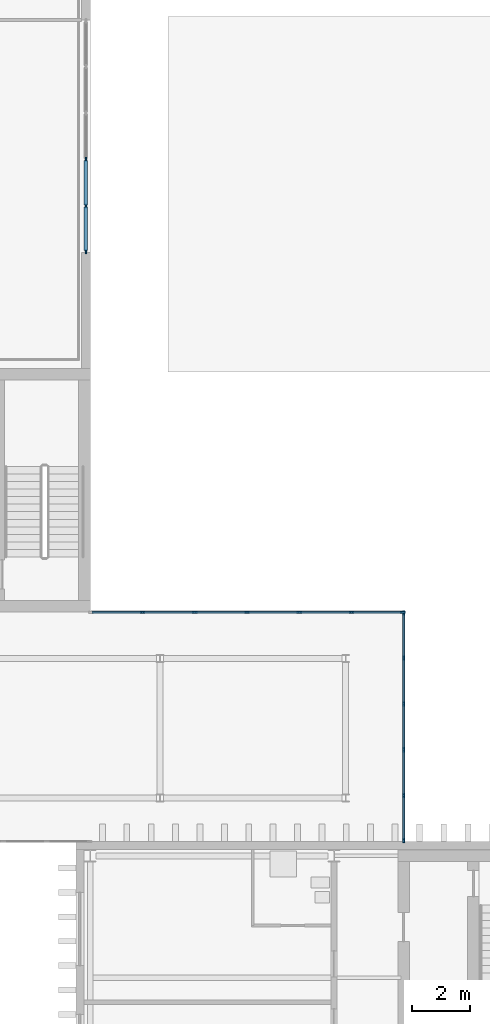
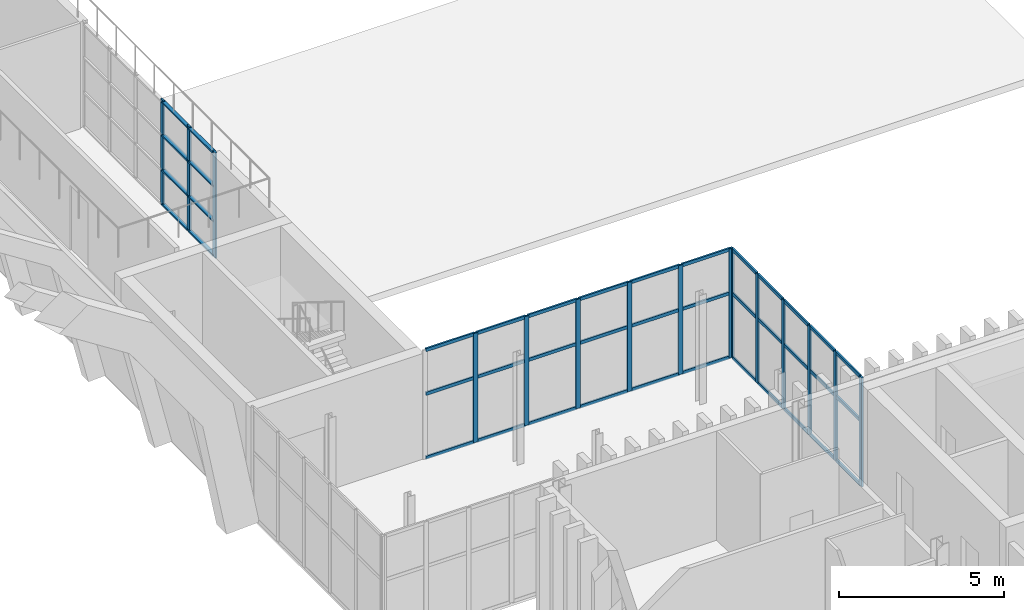
# One storey, part 42 of 96: 56 members, 3 elements without a shape of their own.
"""IFC4 building model written with IfcOpenShell, lengths in metres."""

from ifc_helpers import new_model, si_unit, direction, frame, origin, origin_2d, place, context, subcontext, project, spatial, rectangle, extrude, material, layer, layer_set, material_profile, profile_set, type_object, element, aggregate, save


model = new_model("IFC4")

# Units and contexts
model_context = context("Model", 3, precision=1e-05, world=origin(), true_north=direction((0.0, 1.0)))
body_context = subcontext(model_context, "Body", "Model", "MODEL_VIEW")
ifc_project = project(units=[si_unit("LENGTHUNIT", "METRE"), si_unit("AREAUNIT", "SQUARE_METRE"), si_unit("VOLUMEUNIT", "CUBIC_METRE"), si_unit("PLANEANGLEUNIT", "RADIAN"), si_unit("MASSUNIT", "GRAM", prefix="KILO")], contexts=[model_context])

# Site, building, storey
site_placement = place(None, origin())
site = spatial("IfcSite", under=ifc_project, at=site_placement, CompositionType="ELEMENT")
building_placement = place(site_placement, origin())
building = spatial("IfcBuilding", under=site, at=building_placement, Name="Cresset Court Congress Hotel", CompositionType="ELEMENT")
storey_placement = place(building_placement, frame((0.0, 0.0, 6.0)))
storey = spatial("IfcBuildingStorey", under=building, at=storey_placement, Name="L01", CompositionType="ELEMENT", Elevation=6.0)

# Curtain wall, members
ifc_material_1 = material(Name="Aluminium frame with insulated glass", Category="aluminium")
curtain_wall_type_1 = type_object("IfcCurtainWallType", Name="Curtain wall module 1600", PredefinedType="NOTDEFINED", material=ifc_material_1)
curtain_wall_1_placement = place(storey_placement, origin())
curtain_wall_1 = element("IfcCurtainWall", 1, at=curtain_wall_1_placement, inside=storey, type_object=curtain_wall_type_1, Name="Curtain wall E", PredefinedType="NOTDEFINED")
ifc_material_2 = material(Name="Aluminium", Category="aluminium")
ifc_material_profile_1 = material_profile(ifc_material_2, rectangle(XDim=0.1201171875, YDim=0.06005859375, at=origin_2d()), Name="AL 120x60")
ifc_profile_set_1 = profile_set([ifc_material_profile_1], Name="Aluminium")
member_type_1 = type_object("IfcMemberType", Name="CW transom RECT 120x60", PredefinedType="USERDEFINED", material=ifc_profile_set_1)
member_1_placement = place(storey_placement, frame((157.050048828125, 88.06005859375, 0.06005859375), z_axis=(0.0, 1.0, 0.0), x_axis=(-1.0, 0.0, 0.0)))
member_1 = element("IfcMember", 2, at=member_1_placement, type_object=member_type_1, Name="D-X3 transom 1.1", ObjectType="TRANSOM", PredefinedType="USERDEFINED", context=body_context, shape_type="SweptSolid", body=[
    extrude(rectangle(XDim=0.1201171875, YDim=0.06005859375, at=origin_2d()), origin(), (0.0, 0.0, 1.0), 1.510009765625),
])
member_2_placement = place(storey_placement, frame((157.050048828125, 88.06005859375, 1.3330078125), z_axis=(0.0, 1.0, 0.0), x_axis=(-1.0, 0.0, 0.0)))
member_2 = element("IfcMember", 3, at=member_2_placement, type_object=member_type_1, Name="D-X3 transom 1.2", ObjectType="TRANSOM", PredefinedType="USERDEFINED", context=body_context, shape_type="SweptSolid", body=[
    extrude(rectangle(XDim=0.1201171875, YDim=0.06005859375, at=origin_2d()), origin(), (0.0, 0.0, 1.0), 1.510009765625),
])
member_3_placement = place(storey_placement, frame((157.050048828125, 88.06005859375, 2.6259765625), z_axis=(0.0, 1.0, 0.0), x_axis=(-1.0, 0.0, 0.0)))
member_3 = element("IfcMember", 4, at=member_3_placement, type_object=member_type_1, Name="D-X3 transom 1.3", ObjectType="TRANSOM", PredefinedType="USERDEFINED", context=body_context, shape_type="SweptSolid", body=[
    extrude(rectangle(XDim=0.1201171875, YDim=0.06005859375, at=origin_2d()), origin(), (0.0, 0.0, 1.0), 1.510009765625),
])
member_4_placement = place(storey_placement, frame((157.050048828125, 88.06005859375, 3.860107421875), z_axis=(0.0, 1.0, 0.0), x_axis=(-1.0, 0.0, 0.0)))
member_4 = element("IfcMember", 5, at=member_4_placement, type_object=member_type_1, Name="D-X3 transom 1.4", ObjectType="TRANSOM", PredefinedType="USERDEFINED", context=body_context, shape_type="SweptSolid", body=[
    extrude(rectangle(XDim=0.1201171875, YDim=0.06005859375, at=origin_2d()), origin(), (0.0, 0.0, 1.0), 1.510009765625),
])
member_5_placement = place(storey_placement, frame((157.050048828125, 89.6298828125, 0.06005859375), z_axis=(0.0, 1.0, 0.0), x_axis=(-1.0, 0.0, 0.0)))
member_5 = element("IfcMember", 6, at=member_5_placement, type_object=member_type_1, Name="D-X3 transom 2.1", ObjectType="TRANSOM", PredefinedType="USERDEFINED", context=body_context, shape_type="SweptSolid", body=[
    extrude(rectangle(XDim=0.1201171875, YDim=0.06005859375, at=origin_2d()), origin(), (0.0, 0.0, 1.0), 1.5400390625),
])
member_6_placement = place(storey_placement, frame((157.050048828125, 89.6298828125, 1.3330078125), z_axis=(0.0, 1.0, 0.0), x_axis=(-1.0, 0.0, 0.0)))
member_6 = element("IfcMember", 7, at=member_6_placement, type_object=member_type_1, Name="D-X3 transom 2.2", ObjectType="TRANSOM", PredefinedType="USERDEFINED", context=body_context, shape_type="SweptSolid", body=[
    extrude(rectangle(XDim=0.1201171875, YDim=0.06005859375, at=origin_2d()), origin(), (0.0, 0.0, 1.0), 1.5400390625),
])
member_7_placement = place(storey_placement, frame((157.050048828125, 89.6298828125, 2.6259765625), z_axis=(0.0, 1.0, 0.0), x_axis=(-1.0, 0.0, 0.0)))
member_7 = element("IfcMember", 8, at=member_7_placement, type_object=member_type_1, Name="D-X3 transom 2.3", ObjectType="TRANSOM", PredefinedType="USERDEFINED", context=body_context, shape_type="SweptSolid", body=[
    extrude(rectangle(XDim=0.1201171875, YDim=0.06005859375, at=origin_2d()), origin(), (0.0, 0.0, 1.0), 1.5400390625),
])
member_8_placement = place(storey_placement, frame((157.050048828125, 89.6298828125, 3.860107421875), z_axis=(0.0, 1.0, 0.0), x_axis=(-1.0, 0.0, 0.0)))
member_8 = element("IfcMember", 9, at=member_8_placement, type_object=member_type_1, Name="D-X3 transom 2.4", ObjectType="TRANSOM", PredefinedType="USERDEFINED", context=body_context, shape_type="SweptSolid", body=[
    extrude(rectangle(XDim=0.1201171875, YDim=0.06005859375, at=origin_2d()), origin(), (0.0, 0.0, 1.0), 1.5400390625),
])
ifc_material_3 = material(Name="Anodised aluminium", Category="aluminium")
ifc_material_profile_2 = material_profile(ifc_material_3, rectangle(XDim=0.06005859375, YDim=0.159912109375, at=origin_2d()), Name="AL60x160")
ifc_profile_set_2 = profile_set([ifc_material_profile_2], Name="Anodised aluminium")
member_type_2 = type_object("IfcMemberType", Name="Curtain wall mullion 60x160", PredefinedType="MULLION", material=ifc_profile_set_2)
member_9_placement = place(storey_placement, frame((157.050048828125, 88.030029296875, 0.0), z_axis=(0.0, 0.0, 1.0), x_axis=(-1.0, 0.0, 0.0)))
member_9 = element("IfcMember", 10, at=member_9_placement, type_object=member_type_2, Name="D-X3 mullion 1", PredefinedType="MULLION", context=body_context, shape_type="SweptSolid", body=[
    extrude(rectangle(XDim=0.06005859375, YDim=0.159912109375, at=origin_2d()), origin(), (0.0, 0.0, 1.0), 3.919921875),
])
member_10_placement = place(storey_placement, frame((157.050048828125, 89.60009765625, 0.0), z_axis=(0.0, 0.0, 1.0), x_axis=(-1.0, 0.0, 0.0)))
member_10 = element("IfcMember", 11, at=member_10_placement, type_object=member_type_2, Name="D-X3 mullion 2", PredefinedType="MULLION", context=body_context, shape_type="SweptSolid", body=[
    extrude(rectangle(XDim=0.06005859375, YDim=0.159912109375, at=origin_2d()), origin(), (0.0, 0.0, 1.0), 3.919921875),
])
member_11_placement = place(storey_placement, frame((157.050048828125, 91.199951171875, 0.0), z_axis=(0.0, 0.0, 1.0), x_axis=(-1.0, 0.0, 0.0)))
member_11 = element("IfcMember", 12, at=member_11_placement, type_object=member_type_2, Name="D-X3 mullion 3", PredefinedType="MULLION", context=body_context, shape_type="SweptSolid", body=[
    extrude(rectangle(XDim=0.06005859375, YDim=0.159912109375, at=origin_2d()), origin(), (0.0, 0.0, 1.0), 3.919921875),
])
aggregate(curtain_wall_1, [member_9, member_10, member_11, member_1, member_2, member_3, member_4, member_5, member_6, member_7, member_8])

ifc_material_4 = material(Name="Aluminium and glass", Category="aluminium")
ifc_layer = layer(ifc_material_4, 0.199951171875)
ifc_layer_set = layer_set([ifc_layer], Name="Link curtain wall")
curtain_wall_type_2 = type_object("IfcCurtainWallType", Name="Link curtain wall", PredefinedType="NOTDEFINED", material=ifc_layer_set)
curtain_wall_2_placement = place(storey_placement, origin())
curtain_wall_2 = element("IfcCurtainWall", 13, at=curtain_wall_2_placement, inside=storey, type_object=curtain_wall_type_2, Name="Link curtain wall E", PredefinedType="NOTDEFINED")
ifc_material_5 = material(Name="Aluminium", Category="aluminium")
ifc_material_profile_3 = material_profile(ifc_material_5, rectangle(XDim=0.06005859375, YDim=0.159912109375, at=origin_2d()), Name="Mullion 60x160")
ifc_profile_set_3 = profile_set([ifc_material_profile_3], Name="Aluminium")
member_type_3 = type_object("IfcMemberType", Name="Link mullion 60x160", PredefinedType="MULLION", material=ifc_profile_set_3)
member_12_placement = place(storey_placement, frame((168.0, 67.72998046875, 0.0), z_axis=(0.0, 0.0, 1.0), x_axis=(-1.0, 0.0, 0.0)))
member_12 = element("IfcMember", 14, at=member_12_placement, type_object=member_type_3, Name="S-X1 mullion 1", PredefinedType="MULLION", context=body_context, shape_type="SweptSolid", body=[
    extrude(rectangle(XDim=0.06005859375, YDim=0.159912109375, at=origin_2d()), origin(), (0.0, 0.0, 1.0), 4.050048828125),
])
member_13_placement = place(storey_placement, frame((168.0, 69.280029296875, 0.0), z_axis=(0.0, 0.0, 1.0), x_axis=(-1.0, 0.0, 0.0)))
member_13 = element("IfcMember", 15, at=member_13_placement, type_object=member_type_3, Name="S-X1 mullion 2", PredefinedType="MULLION", context=body_context, shape_type="SweptSolid", body=[
    extrude(rectangle(XDim=0.06005859375, YDim=0.159912109375, at=origin_2d()), origin(), (0.0, 0.0, 1.0), 4.050048828125),
])
member_14_placement = place(storey_placement, frame((168.0, 70.860107421875, 0.0), z_axis=(0.0, 0.0, 1.0), x_axis=(-1.0, 0.0, 0.0)))
member_14 = element("IfcMember", 16, at=member_14_placement, type_object=member_type_3, Name="S-X1 mullion 3", PredefinedType="MULLION", context=body_context, shape_type="SweptSolid", body=[
    extrude(rectangle(XDim=0.06005859375, YDim=0.159912109375, at=origin_2d()), origin(), (0.0, 0.0, 1.0), 4.050048828125),
])
member_15_placement = place(storey_placement, frame((168.0, 72.43994140625, 0.0), z_axis=(0.0, 0.0, 1.0), x_axis=(-1.0, 0.0, 0.0)))
member_15 = element("IfcMember", 17, at=member_15_placement, type_object=member_type_3, Name="S-X1 mullion 4", PredefinedType="MULLION", context=body_context, shape_type="SweptSolid", body=[
    extrude(rectangle(XDim=0.06005859375, YDim=0.159912109375, at=origin_2d()), origin(), (0.0, 0.0, 1.0), 4.050048828125),
])
member_16_placement = place(storey_placement, frame((168.0, 74.02001953125, 0.0), z_axis=(0.0, 0.0, 1.0), x_axis=(-1.0, 0.0, 0.0)))
member_16 = element("IfcMember", 18, at=member_16_placement, type_object=member_type_3, Name="S-X1 mullion 5", PredefinedType="MULLION", context=body_context, shape_type="SweptSolid", body=[
    extrude(rectangle(XDim=0.06005859375, YDim=0.159912109375, at=origin_2d()), origin(), (0.0, 0.0, 1.0), 4.050048828125),
])
member_17_placement = place(storey_placement, frame((168.0, 75.570068359375, 0.0), z_axis=(0.0, 0.0, 1.0), x_axis=(-1.0, 0.0, 0.0)))
member_17 = element("IfcMember", 19, at=member_17_placement, type_object=member_type_3, Name="S-X1 mullion 6", PredefinedType="MULLION", context=body_context, shape_type="SweptSolid", body=[
    extrude(rectangle(XDim=0.06005859375, YDim=0.159912109375, at=origin_2d()), origin(), (0.0, 0.0, 1.0), 4.050048828125),
])

curtain_wall_3_placement = place(storey_placement, origin())
curtain_wall_3 = element("IfcCurtainWall", 20, at=curtain_wall_3_placement, inside=storey, type_object=curtain_wall_type_2, Name="Link curtain wall N", PredefinedType="NOTDEFINED")
member_18_placement = place(storey_placement, frame((159.0, 75.60009765625, 0.0), z_axis=(0.0, 0.0, 1.0), x_axis=(0.0, 1.0, 0.0)))
member_18 = element("IfcMember", 21, at=member_18_placement, type_object=member_type_3, Name="S-X1 mullion 2", PredefinedType="MULLION", context=body_context, shape_type="SweptSolid", body=[
    extrude(rectangle(XDim=0.06005859375, YDim=0.159912109375, at=origin_2d()), origin(), (0.0, 0.0, 1.0), 4.050048828125),
])
member_19_placement = place(storey_placement, frame((160.800048828125, 75.60009765625, 0.0), z_axis=(0.0, 0.0, 1.0), x_axis=(0.0, 1.0, 0.0)))
member_19 = element("IfcMember", 22, at=member_19_placement, type_object=member_type_3, Name="S-X1 mullion 3", PredefinedType="MULLION", context=body_context, shape_type="SweptSolid", body=[
    extrude(rectangle(XDim=0.06005859375, YDim=0.159912109375, at=origin_2d()), origin(), (0.0, 0.0, 1.0), 4.050048828125),
])
member_20_placement = place(storey_placement, frame((162.60009765625, 75.60009765625, 0.0), z_axis=(0.0, 0.0, 1.0), x_axis=(0.0, 1.0, 0.0)))
member_20 = element("IfcMember", 23, at=member_20_placement, type_object=member_type_3, Name="S-X1 mullion 4", PredefinedType="MULLION", context=body_context, shape_type="SweptSolid", body=[
    extrude(rectangle(XDim=0.06005859375, YDim=0.159912109375, at=origin_2d()), origin(), (0.0, 0.0, 1.0), 4.050048828125),
])
member_21_placement = place(storey_placement, frame((164.39990234375, 75.60009765625, 0.0), z_axis=(0.0, 0.0, 1.0), x_axis=(0.0, 1.0, 0.0)))
member_21 = element("IfcMember", 24, at=member_21_placement, type_object=member_type_3, Name="S-X1 mullion 5", PredefinedType="MULLION", context=body_context, shape_type="SweptSolid", body=[
    extrude(rectangle(XDim=0.06005859375, YDim=0.159912109375, at=origin_2d()), origin(), (0.0, 0.0, 1.0), 4.050048828125),
])
member_22_placement = place(storey_placement, frame((166.199951171875, 75.60009765625, 0.0), z_axis=(0.0, 0.0, 1.0), x_axis=(0.0, 1.0, 0.0)))
member_22 = element("IfcMember", 25, at=member_22_placement, type_object=member_type_3, Name="S-X1 mullion 6", PredefinedType="MULLION", context=body_context, shape_type="SweptSolid", body=[
    extrude(rectangle(XDim=0.06005859375, YDim=0.159912109375, at=origin_2d()), origin(), (0.0, 0.0, 1.0), 4.050048828125),
])
member_23_placement = place(storey_placement, frame((167.969970703125, 75.60009765625, 0.0), z_axis=(0.0, 0.0, 1.0), x_axis=(0.0, 1.0, 0.0)))
member_23 = element("IfcMember", 26, at=member_23_placement, type_object=member_type_3, Name="S-X1 mullion 7", PredefinedType="MULLION", context=body_context, shape_type="SweptSolid", body=[
    extrude(rectangle(XDim=0.06005859375, YDim=0.159912109375, at=origin_2d()), origin(), (0.0, 0.0, 1.0), 4.050048828125),
])

# Member
ifc_material_6 = material(Name="Aluminium", Category="aluminium")
ifc_material_profile_4 = material_profile(ifc_material_6, rectangle(XDim=0.06005859375, YDim=0.1201171875, at=origin_2d()), Name="Transom 60x120")
ifc_profile_set_4 = profile_set([ifc_material_profile_4], Name="Aluminium")
member_type_4 = type_object("IfcMemberType", Name="Link transom 60x120", PredefinedType="USERDEFINED", material=ifc_profile_set_4)
member_24_placement = place(storey_placement, frame((168.0, 67.760009765625, 0.030029296875), z_axis=(0.0, 1.0, 0.0), x_axis=(-1.0, 0.0, 0.0)))
member_24 = element("IfcMember", 27, at=member_24_placement, type_object=member_type_4, Name="S-X1 transom 1.1", ObjectType="TRANSOM", PredefinedType="USERDEFINED", context=body_context, shape_type="SweptSolid", body=[
    extrude(rectangle(XDim=0.06005859375, YDim=0.1201171875, at=origin_2d()), origin(), (0.0, 0.0, 1.0), 1.489990234375),
])

member_25_placement = place(storey_placement, frame((168.0, 67.760009765625, 2.39990234375), z_axis=(0.0, 1.0, 0.0), x_axis=(-1.0, 0.0, 0.0)))
member_25 = element("IfcMember", 28, at=member_25_placement, type_object=member_type_4, Name="S-X1 transom 1.2", ObjectType="TRANSOM", PredefinedType="USERDEFINED", context=body_context, shape_type="SweptSolid", body=[
    extrude(rectangle(XDim=0.06005859375, YDim=0.1201171875, at=origin_2d()), origin(), (0.0, 0.0, 1.0), 1.489990234375),
])

member_26_placement = place(storey_placement, frame((168.0, 67.760009765625, 4.02001953125), z_axis=(0.0, 1.0, 0.0), x_axis=(-1.0, 0.0, 0.0)))
member_26 = element("IfcMember", 29, at=member_26_placement, type_object=member_type_4, Name="S-X1 transom 1.3", ObjectType="TRANSOM", PredefinedType="USERDEFINED", context=body_context, shape_type="SweptSolid", body=[
    extrude(rectangle(XDim=0.06005859375, YDim=0.1201171875, at=origin_2d()), origin(), (0.0, 0.0, 1.0), 1.489990234375),
])

member_27_placement = place(storey_placement, frame((168.0, 69.31005859375, 0.030029296875), z_axis=(0.0, 1.0, 0.0), x_axis=(-1.0, 0.0, 0.0)))
member_27 = element("IfcMember", 30, at=member_27_placement, type_object=member_type_4, Name="S-X1 transom 2.1", ObjectType="TRANSOM", PredefinedType="USERDEFINED", context=body_context, shape_type="SweptSolid", body=[
    extrude(rectangle(XDim=0.06005859375, YDim=0.1201171875, at=origin_2d()), origin(), (0.0, 0.0, 1.0), 1.52001953125),
])

member_28_placement = place(storey_placement, frame((168.0, 69.31005859375, 2.39990234375), z_axis=(0.0, 1.0, 0.0), x_axis=(-1.0, 0.0, 0.0)))
member_28 = element("IfcMember", 31, at=member_28_placement, type_object=member_type_4, Name="S-X1 transom 2.2", ObjectType="TRANSOM", PredefinedType="USERDEFINED", context=body_context, shape_type="SweptSolid", body=[
    extrude(rectangle(XDim=0.06005859375, YDim=0.1201171875, at=origin_2d()), origin(), (0.0, 0.0, 1.0), 1.52001953125),
])

member_29_placement = place(storey_placement, frame((168.0, 69.31005859375, 4.02001953125), z_axis=(0.0, 1.0, 0.0), x_axis=(-1.0, 0.0, 0.0)))
member_29 = element("IfcMember", 32, at=member_29_placement, type_object=member_type_4, Name="S-X1 transom 2.3", ObjectType="TRANSOM", PredefinedType="USERDEFINED", context=body_context, shape_type="SweptSolid", body=[
    extrude(rectangle(XDim=0.06005859375, YDim=0.1201171875, at=origin_2d()), origin(), (0.0, 0.0, 1.0), 1.52001953125),
])

member_30_placement = place(storey_placement, frame((168.0, 70.889892578125, 0.030029296875), z_axis=(0.0, 1.0, 0.0), x_axis=(-1.0, 0.0, 0.0)))
member_30 = element("IfcMember", 33, at=member_30_placement, type_object=member_type_4, Name="S-X1 transom 3.1", ObjectType="TRANSOM", PredefinedType="USERDEFINED", context=body_context, shape_type="SweptSolid", body=[
    extrude(rectangle(XDim=0.06005859375, YDim=0.1201171875, at=origin_2d()), origin(), (0.0, 0.0, 1.0), 1.52001953125),
])

member_31_placement = place(storey_placement, frame((168.0, 70.889892578125, 2.39990234375), z_axis=(0.0, 1.0, 0.0), x_axis=(-1.0, 0.0, 0.0)))
member_31 = element("IfcMember", 34, at=member_31_placement, type_object=member_type_4, Name="S-X1 transom 3.2", ObjectType="TRANSOM", PredefinedType="USERDEFINED", context=body_context, shape_type="SweptSolid", body=[
    extrude(rectangle(XDim=0.06005859375, YDim=0.1201171875, at=origin_2d()), origin(), (0.0, 0.0, 1.0), 1.52001953125),
])

member_32_placement = place(storey_placement, frame((168.0, 70.889892578125, 4.02001953125), z_axis=(0.0, 1.0, 0.0), x_axis=(-1.0, 0.0, 0.0)))
member_32 = element("IfcMember", 35, at=member_32_placement, type_object=member_type_4, Name="S-X1 transom 3.3", ObjectType="TRANSOM", PredefinedType="USERDEFINED", context=body_context, shape_type="SweptSolid", body=[
    extrude(rectangle(XDim=0.06005859375, YDim=0.1201171875, at=origin_2d()), origin(), (0.0, 0.0, 1.0), 1.52001953125),
])

member_33_placement = place(storey_placement, frame((168.0, 72.469970703125, 0.030029296875), z_axis=(0.0, 1.0, 0.0), x_axis=(-1.0, 0.0, 0.0)))
member_33 = element("IfcMember", 36, at=member_33_placement, type_object=member_type_4, Name="S-X1 transom 4.1", ObjectType="TRANSOM", PredefinedType="USERDEFINED", context=body_context, shape_type="SweptSolid", body=[
    extrude(rectangle(XDim=0.06005859375, YDim=0.1201171875, at=origin_2d()), origin(), (0.0, 0.0, 1.0), 1.52001953125),
])

member_34_placement = place(storey_placement, frame((168.0, 72.469970703125, 2.39990234375), z_axis=(0.0, 1.0, 0.0), x_axis=(-1.0, 0.0, 0.0)))
member_34 = element("IfcMember", 37, at=member_34_placement, type_object=member_type_4, Name="S-X1 transom 4.2", ObjectType="TRANSOM", PredefinedType="USERDEFINED", context=body_context, shape_type="SweptSolid", body=[
    extrude(rectangle(XDim=0.06005859375, YDim=0.1201171875, at=origin_2d()), origin(), (0.0, 0.0, 1.0), 1.52001953125),
])

member_35_placement = place(storey_placement, frame((168.0, 72.469970703125, 4.02001953125), z_axis=(0.0, 1.0, 0.0), x_axis=(-1.0, 0.0, 0.0)))
member_35 = element("IfcMember", 38, at=member_35_placement, type_object=member_type_4, Name="S-X1 transom 4.3", ObjectType="TRANSOM", PredefinedType="USERDEFINED", context=body_context, shape_type="SweptSolid", body=[
    extrude(rectangle(XDim=0.06005859375, YDim=0.1201171875, at=origin_2d()), origin(), (0.0, 0.0, 1.0), 1.52001953125),
])

member_36_placement = place(storey_placement, frame((168.0, 74.050048828125, 0.030029296875), z_axis=(0.0, 1.0, 0.0), x_axis=(-1.0, 0.0, 0.0)))
member_36 = element("IfcMember", 39, at=member_36_placement, type_object=member_type_4, Name="S-X1 transom 5.1", ObjectType="TRANSOM", PredefinedType="USERDEFINED", context=body_context, shape_type="SweptSolid", body=[
    extrude(rectangle(XDim=0.06005859375, YDim=0.1201171875, at=origin_2d()), origin(), (0.0, 0.0, 1.0), 1.489990234375),
])

member_37_placement = place(storey_placement, frame((168.0, 74.050048828125, 2.39990234375), z_axis=(0.0, 1.0, 0.0), x_axis=(-1.0, 0.0, 0.0)))
member_37 = element("IfcMember", 40, at=member_37_placement, type_object=member_type_4, Name="S-X1 transom 5.2", ObjectType="TRANSOM", PredefinedType="USERDEFINED", context=body_context, shape_type="SweptSolid", body=[
    extrude(rectangle(XDim=0.06005859375, YDim=0.1201171875, at=origin_2d()), origin(), (0.0, 0.0, 1.0), 1.489990234375),
])

member_38_placement = place(storey_placement, frame((168.0, 74.050048828125, 4.02001953125), z_axis=(0.0, 1.0, 0.0), x_axis=(-1.0, 0.0, 0.0)))
member_38 = element("IfcMember", 41, at=member_38_placement, type_object=member_type_4, Name="S-X1 transom 5.3", ObjectType="TRANSOM", PredefinedType="USERDEFINED", context=body_context, shape_type="SweptSolid", body=[
    extrude(rectangle(XDim=0.06005859375, YDim=0.1201171875, at=origin_2d()), origin(), (0.0, 0.0, 1.0), 1.489990234375),
])

aggregate(curtain_wall_2, [member_12, member_13, member_14, member_15, member_16, member_17, member_24, member_25, member_26, member_27, member_28, member_29, member_30, member_31, member_32, member_33, member_34, member_35, member_36, member_37, member_38])

member_39_placement = place(storey_placement, frame((157.260009765625, 75.60009765625, 0.030029296875), z_axis=(1.0, 0.0, 0.0), x_axis=(0.0, 1.0, 0.0)))
member_39 = element("IfcMember", 42, at=member_39_placement, type_object=member_type_4, Name="S-X1 transom 1.1", ObjectType="TRANSOM", PredefinedType="USERDEFINED", context=body_context, shape_type="SweptSolid", body=[
    extrude(rectangle(XDim=0.06005859375, YDim=0.1201171875, at=origin_2d()), origin(), (0.0, 0.0, 1.0), 1.7099609375),
])

member_40_placement = place(storey_placement, frame((157.260009765625, 75.60009765625, 2.39990234375), z_axis=(1.0, 0.0, 0.0), x_axis=(0.0, 1.0, 0.0)))
member_40 = element("IfcMember", 43, at=member_40_placement, type_object=member_type_4, Name="S-X1 transom 1.2", ObjectType="TRANSOM", PredefinedType="USERDEFINED", context=body_context, shape_type="SweptSolid", body=[
    extrude(rectangle(XDim=0.06005859375, YDim=0.1201171875, at=origin_2d()), origin(), (0.0, 0.0, 1.0), 1.7099609375),
])

member_41_placement = place(storey_placement, frame((157.260009765625, 75.60009765625, 4.02001953125), z_axis=(1.0, 0.0, 0.0), x_axis=(0.0, 1.0, 0.0)))
member_41 = element("IfcMember", 44, at=member_41_placement, type_object=member_type_4, Name="S-X1 transom 1.3", ObjectType="TRANSOM", PredefinedType="USERDEFINED", context=body_context, shape_type="SweptSolid", body=[
    extrude(rectangle(XDim=0.06005859375, YDim=0.1201171875, at=origin_2d()), origin(), (0.0, 0.0, 1.0), 1.7099609375),
])

member_42_placement = place(storey_placement, frame((159.030029296875, 75.60009765625, 0.030029296875), z_axis=(1.0, 0.0, 0.0), x_axis=(0.0, 1.0, 0.0)))
member_42 = element("IfcMember", 45, at=member_42_placement, type_object=member_type_4, Name="S-X1 transom 2.1", ObjectType="TRANSOM", PredefinedType="USERDEFINED", context=body_context, shape_type="SweptSolid", body=[
    extrude(rectangle(XDim=0.06005859375, YDim=0.1201171875, at=origin_2d()), origin(), (0.0, 0.0, 1.0), 1.739990234375),
])

member_43_placement = place(storey_placement, frame((159.030029296875, 75.60009765625, 2.39990234375), z_axis=(1.0, 0.0, 0.0), x_axis=(0.0, 1.0, 0.0)))
member_43 = element("IfcMember", 46, at=member_43_placement, type_object=member_type_4, Name="S-X1 transom 2.2", ObjectType="TRANSOM", PredefinedType="USERDEFINED", context=body_context, shape_type="SweptSolid", body=[
    extrude(rectangle(XDim=0.06005859375, YDim=0.1201171875, at=origin_2d()), origin(), (0.0, 0.0, 1.0), 1.739990234375),
])

member_44_placement = place(storey_placement, frame((159.030029296875, 75.60009765625, 4.02001953125), z_axis=(1.0, 0.0, 0.0), x_axis=(0.0, 1.0, 0.0)))
member_44 = element("IfcMember", 47, at=member_44_placement, type_object=member_type_4, Name="S-X1 transom 2.3", ObjectType="TRANSOM", PredefinedType="USERDEFINED", context=body_context, shape_type="SweptSolid", body=[
    extrude(rectangle(XDim=0.06005859375, YDim=0.1201171875, at=origin_2d()), origin(), (0.0, 0.0, 1.0), 1.739990234375),
])

member_45_placement = place(storey_placement, frame((160.830078125, 75.60009765625, 0.030029296875), z_axis=(1.0, 0.0, 0.0), x_axis=(0.0, 1.0, 0.0)))
member_45 = element("IfcMember", 48, at=member_45_placement, type_object=member_type_4, Name="S-X1 transom 3.1", ObjectType="TRANSOM", PredefinedType="USERDEFINED", context=body_context, shape_type="SweptSolid", body=[
    extrude(rectangle(XDim=0.06005859375, YDim=0.1201171875, at=origin_2d()), origin(), (0.0, 0.0, 1.0), 1.739990234375),
])

member_46_placement = place(storey_placement, frame((160.830078125, 75.60009765625, 2.39990234375), z_axis=(1.0, 0.0, 0.0), x_axis=(0.0, 1.0, 0.0)))
member_46 = element("IfcMember", 49, at=member_46_placement, type_object=member_type_4, Name="S-X1 transom 3.2", ObjectType="TRANSOM", PredefinedType="USERDEFINED", context=body_context, shape_type="SweptSolid", body=[
    extrude(rectangle(XDim=0.06005859375, YDim=0.1201171875, at=origin_2d()), origin(), (0.0, 0.0, 1.0), 1.739990234375),
])

member_47_placement = place(storey_placement, frame((160.830078125, 75.60009765625, 4.02001953125), z_axis=(1.0, 0.0, 0.0), x_axis=(0.0, 1.0, 0.0)))
member_47 = element("IfcMember", 50, at=member_47_placement, type_object=member_type_4, Name="S-X1 transom 3.3", ObjectType="TRANSOM", PredefinedType="USERDEFINED", context=body_context, shape_type="SweptSolid", body=[
    extrude(rectangle(XDim=0.06005859375, YDim=0.1201171875, at=origin_2d()), origin(), (0.0, 0.0, 1.0), 1.739990234375),
])

member_48_placement = place(storey_placement, frame((162.6298828125, 75.60009765625, 0.030029296875), z_axis=(1.0, 0.0, 0.0), x_axis=(0.0, 1.0, 0.0)))
member_48 = element("IfcMember", 51, at=member_48_placement, type_object=member_type_4, Name="S-X1 transom 4.1", ObjectType="TRANSOM", PredefinedType="USERDEFINED", context=body_context, shape_type="SweptSolid", body=[
    extrude(rectangle(XDim=0.06005859375, YDim=0.1201171875, at=origin_2d()), origin(), (0.0, 0.0, 1.0), 1.740234375),
])

member_49_placement = place(storey_placement, frame((162.6298828125, 75.60009765625, 2.39990234375), z_axis=(1.0, 0.0, 0.0), x_axis=(0.0, 1.0, 0.0)))
member_49 = element("IfcMember", 52, at=member_49_placement, type_object=member_type_4, Name="S-X1 transom 4.2", ObjectType="TRANSOM", PredefinedType="USERDEFINED", context=body_context, shape_type="SweptSolid", body=[
    extrude(rectangle(XDim=0.06005859375, YDim=0.1201171875, at=origin_2d()), origin(), (0.0, 0.0, 1.0), 1.740234375),
])

member_50_placement = place(storey_placement, frame((162.6298828125, 75.60009765625, 4.02001953125), z_axis=(1.0, 0.0, 0.0), x_axis=(0.0, 1.0, 0.0)))
member_50 = element("IfcMember", 53, at=member_50_placement, type_object=member_type_4, Name="S-X1 transom 4.3", ObjectType="TRANSOM", PredefinedType="USERDEFINED", context=body_context, shape_type="SweptSolid", body=[
    extrude(rectangle(XDim=0.06005859375, YDim=0.1201171875, at=origin_2d()), origin(), (0.0, 0.0, 1.0), 1.740234375),
])

member_51_placement = place(storey_placement, frame((164.429931640625, 75.60009765625, 0.030029296875), z_axis=(1.0, 0.0, 0.0), x_axis=(0.0, 1.0, 0.0)))
member_51 = element("IfcMember", 54, at=member_51_placement, type_object=member_type_4, Name="S-X1 transom 5.1", ObjectType="TRANSOM", PredefinedType="USERDEFINED", context=body_context, shape_type="SweptSolid", body=[
    extrude(rectangle(XDim=0.06005859375, YDim=0.1201171875, at=origin_2d()), origin(), (0.0, 0.0, 1.0), 1.739990234375),
])

member_52_placement = place(storey_placement, frame((164.429931640625, 75.60009765625, 2.39990234375), z_axis=(1.0, 0.0, 0.0), x_axis=(0.0, 1.0, 0.0)))
member_52 = element("IfcMember", 55, at=member_52_placement, type_object=member_type_4, Name="S-X1 transom 5.2", ObjectType="TRANSOM", PredefinedType="USERDEFINED", context=body_context, shape_type="SweptSolid", body=[
    extrude(rectangle(XDim=0.06005859375, YDim=0.1201171875, at=origin_2d()), origin(), (0.0, 0.0, 1.0), 1.739990234375),
])

member_53_placement = place(storey_placement, frame((164.429931640625, 75.60009765625, 4.02001953125), z_axis=(1.0, 0.0, 0.0), x_axis=(0.0, 1.0, 0.0)))
member_53 = element("IfcMember", 56, at=member_53_placement, type_object=member_type_4, Name="S-X1 transom 5.3", ObjectType="TRANSOM", PredefinedType="USERDEFINED", context=body_context, shape_type="SweptSolid", body=[
    extrude(rectangle(XDim=0.06005859375, YDim=0.1201171875, at=origin_2d()), origin(), (0.0, 0.0, 1.0), 1.739990234375),
])

member_54_placement = place(storey_placement, frame((166.22998046875, 75.60009765625, 0.030029296875), z_axis=(1.0, 0.0, 0.0), x_axis=(0.0, 1.0, 0.0)))
member_54 = element("IfcMember", 57, at=member_54_placement, type_object=member_type_4, Name="S-X1 transom 6.1", ObjectType="TRANSOM", PredefinedType="USERDEFINED", context=body_context, shape_type="SweptSolid", body=[
    extrude(rectangle(XDim=0.06005859375, YDim=0.1201171875, at=origin_2d()), origin(), (0.0, 0.0, 1.0), 1.7099609375),
])

member_55_placement = place(storey_placement, frame((166.22998046875, 75.60009765625, 2.39990234375), z_axis=(1.0, 0.0, 0.0), x_axis=(0.0, 1.0, 0.0)))
member_55 = element("IfcMember", 58, at=member_55_placement, type_object=member_type_4, Name="S-X1 transom 6.2", ObjectType="TRANSOM", PredefinedType="USERDEFINED", context=body_context, shape_type="SweptSolid", body=[
    extrude(rectangle(XDim=0.06005859375, YDim=0.1201171875, at=origin_2d()), origin(), (0.0, 0.0, 1.0), 1.7099609375),
])

member_56_placement = place(storey_placement, frame((166.22998046875, 75.60009765625, 4.02001953125), z_axis=(1.0, 0.0, 0.0), x_axis=(0.0, 1.0, 0.0)))
member_56 = element("IfcMember", 59, at=member_56_placement, type_object=member_type_4, Name="S-X1 transom 6.3", ObjectType="TRANSOM", PredefinedType="USERDEFINED", context=body_context, shape_type="SweptSolid", body=[
    extrude(rectangle(XDim=0.06005859375, YDim=0.1201171875, at=origin_2d()), origin(), (0.0, 0.0, 1.0), 1.7099609375),
])

aggregate(curtain_wall_3, [member_18, member_19, member_20, member_21, member_22, member_23, member_39, member_40, member_41, member_42, member_43, member_44, member_45, member_46, member_47, member_48, member_49, member_50, member_51, member_52, member_53, member_54, member_55, member_56])

save(model, "model.ifc")
